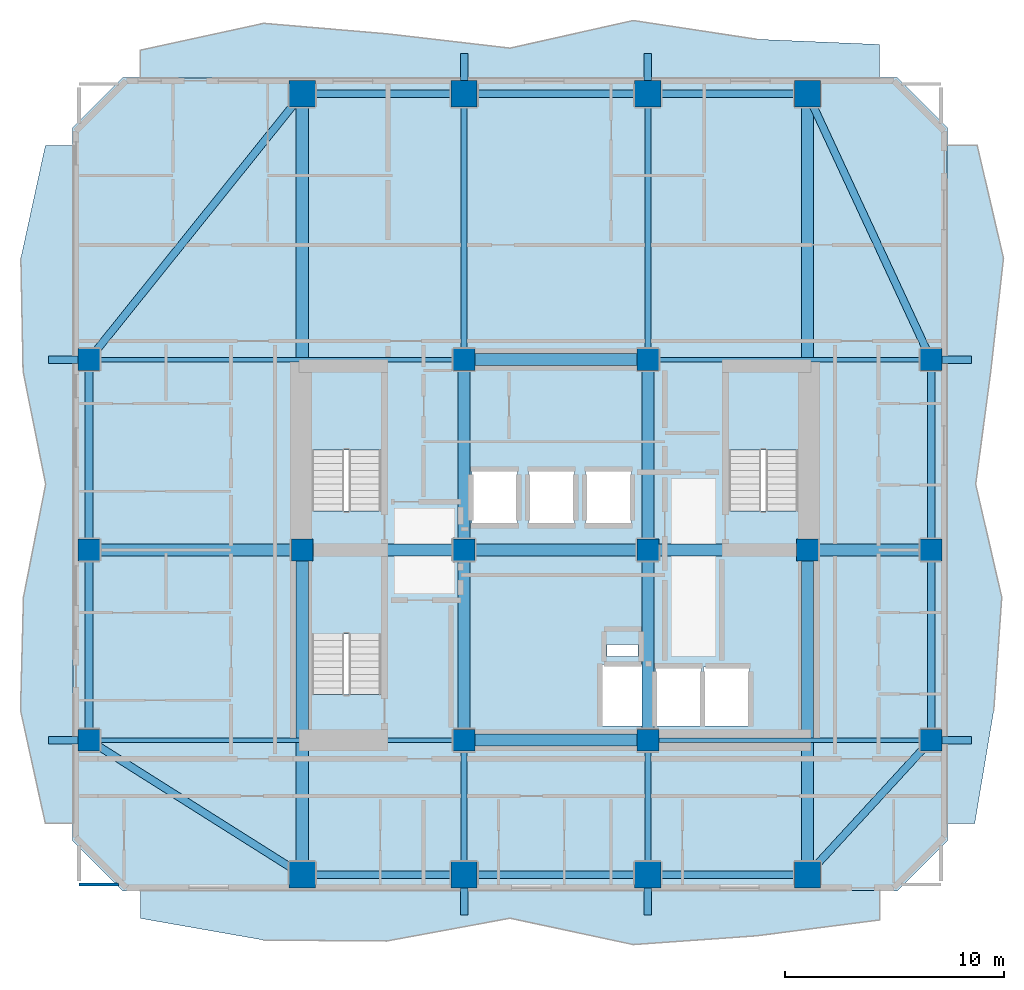
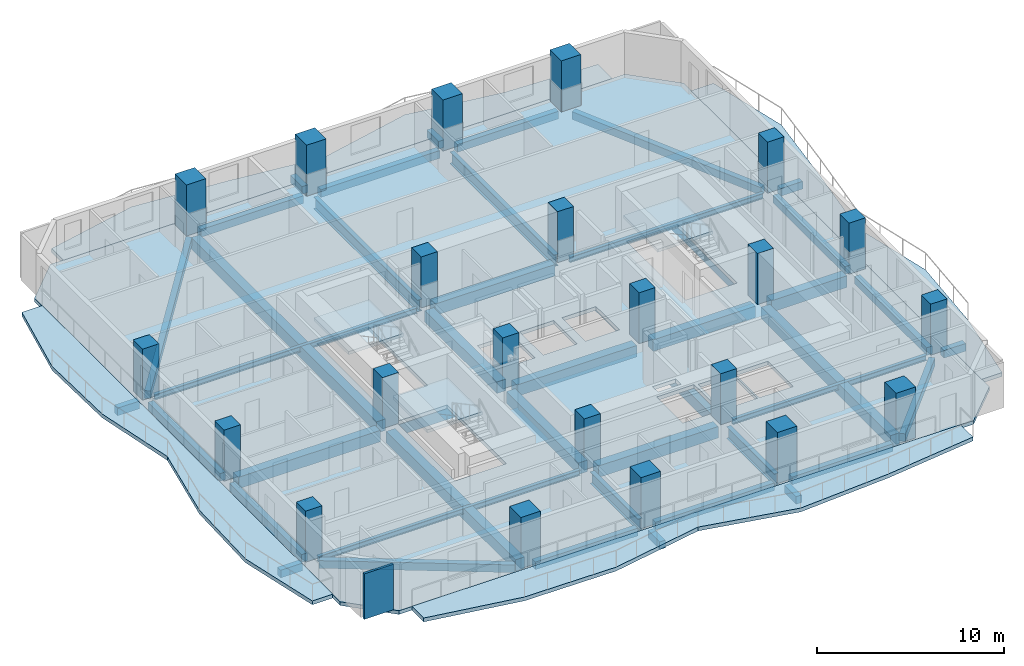
# One storey, part 1 of 11: 45 beams, 22 columns, 8 slabs, 1 wall, 3 elements without a shape of their own.
"""IFC4 building model written with IfcOpenShell, lengths in metres."""

from ifc_helpers import new_model, si_unit, direction, frame, frame_2d, origin, origin_2d, place, context, subcontext, project, spatial, polyline, rectangle, i_section, outline, extrude, material, layer, layer_set, material_profile, profile_set, type_object, element, aggregate, save


model = new_model("IFC4")

# Units and contexts
model_context = context("Model", 3, precision=1e-05, world=origin(), true_north=direction((0.0, 1.0)))
body_context = subcontext(model_context, "Body", "Model", "MODEL_VIEW")
ifc_project = project(units=[si_unit("LENGTHUNIT", "METRE"), si_unit("AREAUNIT", "SQUARE_METRE"), si_unit("VOLUMEUNIT", "CUBIC_METRE"), si_unit("PLANEANGLEUNIT", "RADIAN"), si_unit("MASSUNIT", "GRAM", prefix="KILO")], contexts=[model_context])

# Site, building, storey
site_placement = place(None, origin())
site = spatial("IfcSite", under=ifc_project, at=site_placement, CompositionType="ELEMENT")
building_placement = place(site_placement, origin())
building = spatial("IfcBuilding", under=site, at=building_placement, Name="Solanera Arch Residences", CompositionType="ELEMENT")
storey_placement = place(building_placement, frame((0.0, 0.0, 169.159912109375)))
storey = spatial("IfcBuildingStorey", under=building, at=storey_placement, Name="L49", CompositionType="ELEMENT", Elevation=169.159912109375)

# Columns
ifc_material_1 = material(Name="Concrete C55/67 (f'c = 60 MPa)", Category="concrete")
ifc_material_profile_1 = material_profile(ifc_material_1, rectangle(XDim=1.0, YDim=1.0, at=origin_2d()))
ifc_profile_set_1 = profile_set([ifc_material_profile_1], Name="Concrete C55/67 (f'c = 60 MPa)")
column_type_1 = type_object("IfcColumnType", Name="Structural Column RC-COL-1000X1000", PredefinedType="COLUMN", material=ifc_profile_set_1)
for number, where, z_axis, x_axis, name in (
    (1, (20.800048828125, 22.0, 0.0), (0.0, 0.0, 1.0), (1.0, 0.0, 0.0), "COL-L49-CB-SW"),
    (2, (29.199951171875, 22.0, 0.0), (0.0, 0.0, 1.0), (1.0, 0.0, 0.0), "COL-L49-CB-SE"),
    (3, (20.800048828125, 39.39990234375, 0.0), (0.0, 0.0, 1.0), (1.0, 0.0, 0.0), "COL-L49-CB-NW"),
    (4, (29.199951171875, 39.39990234375, 0.0), (0.0, 0.0, 1.0), (1.0, 0.0, 0.0), "COL-L49-CB-NE"),
    (5, (13.39990234375, 30.699951171875, 0.0), (0.0, 0.0, 1.0), (1.0, 0.0, 0.0), "COL-L49-CB-WW"),
    (6, (36.5, 30.699951171875, 0.0), (0.0, 0.0, 1.0), (1.0, 0.0, 0.0), "COL-L49-CB-EE"),
    (7, (20.800048828125, 30.699951171875, 0.0), (0.0, 0.0, 1.0), (1.0, 0.0, 0.0), "COL-L49-CORE-W"),
    (8, (29.199951171875, 30.699951171875, 0.0), (0.0, 0.0, 1.0), (1.0, 0.0, 0.0), "COL-L49-CORE-E"),
    (9, (3.64990234375, 22.0, 0.0), (0.0, 0.0, 1.0), (1.0, 0.0, 0.0), "COL-L49-TWR-09"),
    (10, (42.14990234375, 22.0, 0.0), (0.0, 0.0, 1.0), (1.0, 0.0, 0.0), "COL-L49-TWR-10"),
    (11, (3.64990234375, 30.699951171875, 0.0), (0.0, 0.0, 1.0), (1.0, 0.0, 0.0), "COL-L49-TWR-11"),
    (12, (42.14990234375, 30.699951171875, 0.0), (0.0, 0.0, 1.0), (1.0, 0.0, 0.0), "COL-L49-TWR-12"),
    (13, (3.64990234375, 39.39990234375, 0.0), (0.0, 0.0, 1.0), (1.0, 0.0, 0.0), "COL-L49-TWR-13"),
    (14, (42.14990234375, 39.39990234375, 0.0), (0.0, 0.0, 1.0), (1.0, 0.0, 0.0), "COL-L49-TWR-14"),
):
    element("IfcColumn", number, at=place(storey_placement, frame(where, z_axis=z_axis, x_axis=x_axis)), inside=storey, type_object=column_type_1, Name=name, PredefinedType="COLUMN", context=body_context, shape_type="SweptSolid", body=[
        extrude(rectangle(XDim=1.0, YDim=1.0, at=origin_2d()), origin(), (0.0, 0.0, 1.0), 3.320068359375),
    ])
ifc_material_2 = material(Name="Concrete C55/67 (f'c = 60 MPa)", Category="concrete")
ifc_material_profile_2 = material_profile(ifc_material_2, rectangle(XDim=1.199951171875, YDim=1.199951171875, at=origin_2d()))
ifc_profile_set_2 = profile_set([ifc_material_profile_2], Name="Concrete C55/67 (f'c = 60 MPa)")
column_type_2 = type_object("IfcColumnType", Name="Structural Column RC-COL-1200X1200", PredefinedType="COLUMN", material=ifc_profile_set_2)
for number, where, z_axis, x_axis, name in (
    (15, (13.39990234375, 15.85009765625, 0.0), (0.0, 0.0, 1.0), (1.0, 0.0, 0.0), "COL-L49-TWR-01"),
    (16, (13.39990234375, 51.550048828125, 0.0), (0.0, 0.0, 1.0), (1.0, 0.0, 0.0), "COL-L49-TWR-02"),
    (17, (20.800048828125, 15.85009765625, 0.0), (0.0, 0.0, 1.0), (1.0, 0.0, 0.0), "COL-L49-TWR-03"),
    (18, (20.800048828125, 51.550048828125, 0.0), (0.0, 0.0, 1.0), (1.0, 0.0, 0.0), "COL-L49-TWR-04"),
    (19, (29.199951171875, 15.85009765625, 0.0), (0.0, 0.0, 1.0), (1.0, 0.0, 0.0), "COL-L49-TWR-05"),
    (20, (29.199951171875, 51.550048828125, 0.0), (0.0, 0.0, 1.0), (1.0, 0.0, 0.0), "COL-L49-TWR-06"),
    (21, (36.5, 15.85009765625, 0.0), (0.0, 0.0, 1.0), (1.0, 0.0, 0.0), "COL-L49-TWR-07"),
    (22, (36.5, 51.550048828125, 0.0), (0.0, 0.0, 1.0), (1.0, 0.0, 0.0), "COL-L49-TWR-08"),
):
    element("IfcColumn", number, at=place(storey_placement, frame(where, z_axis=z_axis, x_axis=x_axis)), inside=storey, type_object=column_type_2, Name=name, PredefinedType="COLUMN", context=body_context, shape_type="SweptSolid", body=[
        extrude(rectangle(XDim=1.199951171875, YDim=1.199951171875, at=origin_2d()), origin(), (0.0, 0.0, 1.0), 3.320068359375),
    ])

# Beams
ifc_material_3 = material(Name="Concrete C40/50 (f'c = 45 MPa)", Category="concrete")
ifc_material_profile_3 = material_profile(ifc_material_3, rectangle(XDim=0.35009765625, YDim=0.5, at=origin_2d()))
ifc_profile_set_3 = profile_set([ifc_material_profile_3], Name="Concrete C40/50 (f'c = 45 MPa)")
beam_type_1 = type_object("IfcBeamType", Name="BM-BALC-RIB", PredefinedType="BEAM", material=ifc_profile_set_3)
for number, where, z_axis, x_axis, name in (
    (23, (20.800048828125, 14.0, -0.5), (0.0, 1.0, 0.0), (-1.0, 0.0, 0.0), "BM-L49-BRIB-S1"),
    (24, (29.199951171875, 14.0, -0.5), (0.0, 1.0, 0.0), (-1.0, 0.0, 0.0), "BM-L49-BRIB-S2"),
    (25, (20.800048828125, 52.14990234375, -0.5), (0.0, 1.0, 0.0), (-1.0, 0.0, 0.0), "BM-L49-BRIB-N1"),
    (26, (29.199951171875, 52.14990234375, -0.5), (0.0, 1.0, 0.0), (-1.0, 0.0, 0.0), "BM-L49-BRIB-N2"),
):
    element("IfcBeam", number, at=place(storey_placement, frame(where, z_axis=z_axis, x_axis=x_axis)), inside=storey, type_object=beam_type_1, Name=name, PredefinedType="BEAM", context=body_context, shape_type="SweptSolid", body=[
        extrude(rectangle(XDim=0.35009765625, YDim=0.5, at=origin_2d()), origin(), (0.0, 0.0, 1.0), 1.25),
    ])
for number, where, z_axis, x_axis, name in (
    (27, (42.64990234375, 22.0, -0.5), (1.0, 0.0, 0.0), (0.0, 1.0, 0.0), "BM-L49-BRIB-E1"),
    (28, (42.64990234375, 39.39990234375, -0.5), (1.0, 0.0, 0.0), (0.0, 1.0, 0.0), "BM-L49-BRIB-E2"),
):
    element("IfcBeam", number, at=place(storey_placement, frame(where, z_axis=z_axis, x_axis=x_axis)), inside=storey, type_object=beam_type_1, Name=name, PredefinedType="BEAM", context=body_context, shape_type="SweptSolid", body=[
        extrude(rectangle(XDim=0.35009765625, YDim=0.5, at=origin_2d()), origin(), (0.0, 0.0, 1.0), 1.35009765625),
    ])
for number, where, z_axis, x_axis, name in (
    (29, (1.800048828125, 22.0, -0.5), (1.0, 0.0, 0.0), (0.0, 1.0, 0.0), "BM-L49-BRIB-W1"),
    (30, (1.800048828125, 39.39990234375, -0.5), (1.0, 0.0, 0.0), (0.0, 1.0, 0.0), "BM-L49-BRIB-W2"),
):
    element("IfcBeam", number, at=place(storey_placement, frame(where, z_axis=z_axis, x_axis=x_axis)), inside=storey, type_object=beam_type_1, Name=name, PredefinedType="BEAM", context=body_context, shape_type="SweptSolid", body=[
        extrude(rectangle(XDim=0.35009765625, YDim=0.5, at=origin_2d()), origin(), (0.0, 0.0, 1.0), 1.349853515625),
    ])
ifc_material_4 = material(Name="Concrete C40/50 (f'c = 45 MPa)", Category="concrete")
ifc_material_profile_4 = material_profile(ifc_material_4, rectangle(XDim=0.550048828125, YDim=0.75, at=origin_2d()))
ifc_profile_set_4 = profile_set([ifc_material_profile_4], Name="Concrete C40/50 (f'c = 45 MPa)")
beam_type_2 = type_object("IfcBeamType", Name="Primary Beam RC-BM-550X750", PredefinedType="BEAM", material=ifc_profile_set_4)
beam_1_placement = place(storey_placement, frame((20.800048828125, 22.50390625, -0.614990234375), z_axis=(0.0, 1.0, 0.0), x_axis=(-1.0, 0.0, 0.0)))
element("IfcBeam", 31, at=beam_1_placement, inside=storey, type_object=beam_type_2, Name="BM-L49-CC-S-208", PredefinedType="BEAM", context=body_context, shape_type="SweptSolid", body=[
    extrude(rectangle(XDim=0.550048828125, YDim=0.75, at=origin_2d()), origin(), (0.0, 0.0, 1.0), 7.692138671875),
])
beam_2_placement = place(storey_placement, frame((20.800048828125, 31.2041015625, -0.614990234375), z_axis=(0.0, 1.0, 0.0), x_axis=(-1.0, 0.0, 0.0)))
element("IfcBeam", 32, at=beam_2_placement, inside=storey, type_object=beam_type_2, Name="BM-L49-CC-N-208", PredefinedType="BEAM", context=body_context, shape_type="SweptSolid", body=[
    extrude(rectangle(XDim=0.550048828125, YDim=0.75, at=origin_2d()), origin(), (0.0, 0.0, 1.0), 7.69189453125),
])
beam_3_placement = place(storey_placement, frame((29.199951171875, 22.50390625, -0.614990234375), z_axis=(0.0, 1.0, 0.0), x_axis=(-1.0, 0.0, 0.0)))
element("IfcBeam", 33, at=beam_3_placement, inside=storey, type_object=beam_type_2, Name="BM-L49-CC-S-292", PredefinedType="BEAM", context=body_context, shape_type="SweptSolid", body=[
    extrude(rectangle(XDim=0.550048828125, YDim=0.75, at=origin_2d()), origin(), (0.0, 0.0, 1.0), 7.692138671875),
])
beam_4_placement = place(storey_placement, frame((29.199951171875, 31.2041015625, -0.614990234375), z_axis=(0.0, 1.0, 0.0), x_axis=(-1.0, 0.0, 0.0)))
element("IfcBeam", 34, at=beam_4_placement, inside=storey, type_object=beam_type_2, Name="BM-L49-CC-N-292", PredefinedType="BEAM", context=body_context, shape_type="SweptSolid", body=[
    extrude(rectangle(XDim=0.550048828125, YDim=0.75, at=origin_2d()), origin(), (0.0, 0.0, 1.0), 7.69189453125),
])
for number, where, z_axis, x_axis, name in (
    (35, (21.303955078125, 22.0, -0.614990234375), (1.0, 0.0, 0.0), (0.0, 1.0, 0.0), "BM-L49-CC-M-220"),
    (36, (21.303955078125, 30.699951171875, -0.614990234375), (1.0, 0.0, 0.0), (0.0, 1.0, 0.0), "BM-L49-CC-M-307"),
    (37, (21.303955078125, 39.39990234375, -0.614990234375), (1.0, 0.0, 0.0), (0.0, 1.0, 0.0), "BM-L49-CC-M-394"),
):
    element("IfcBeam", number, at=place(storey_placement, frame(where, z_axis=z_axis, x_axis=x_axis)), inside=storey, type_object=beam_type_2, Name=name, PredefinedType="BEAM", context=body_context, shape_type="SweptSolid", body=[
        extrude(rectangle(XDim=0.550048828125, YDim=0.75, at=origin_2d()), origin(), (0.0, 0.0, 1.0), 7.39208984375),
    ])
beam_5_placement = place(storey_placement, frame((13.904052734375, 30.699951171875, -0.614990234375), z_axis=(1.0, 0.0, 0.0), x_axis=(0.0, 1.0, 0.0)))
element("IfcBeam", 38, at=beam_5_placement, inside=storey, type_object=beam_type_2, Name="BM-L49-CC-W", PredefinedType="BEAM", context=body_context, shape_type="SweptSolid", body=[
    extrude(rectangle(XDim=0.550048828125, YDim=0.75, at=origin_2d()), origin(), (0.0, 0.0, 1.0), 6.391845703125),
])
beam_6_placement = place(storey_placement, frame((29.7041015625, 30.699951171875, -0.614990234375), z_axis=(1.0, 0.0, 0.0), x_axis=(0.0, 1.0, 0.0)))
element("IfcBeam", 39, at=beam_6_placement, inside=storey, type_object=beam_type_2, Name="BM-L49-CC-E", PredefinedType="BEAM", context=body_context, shape_type="SweptSolid", body=[
    extrude(rectangle(XDim=0.550048828125, YDim=0.75, at=origin_2d()), origin(), (0.0, 0.0, 1.0), 6.2919921875),
])
beam_7_placement = place(storey_placement, frame((13.39990234375, 16.389892578125, -0.614990234375), z_axis=(0.0, 1.0, 0.0), x_axis=(-1.0, 0.0, 0.0)))
element("IfcBeam", 40, at=beam_7_placement, inside=storey, type_object=beam_type_2, Name="BM-L49-RAD-OS-134", PredefinedType="BEAM", context=body_context, shape_type="SweptSolid", body=[
    extrude(rectangle(XDim=0.550048828125, YDim=0.75, at=origin_2d()), origin(), (0.0, 0.0, 1.0), 13.80615234375),
])
beam_8_placement = place(storey_placement, frame((13.39990234375, 31.2041015625, -0.614990234375), z_axis=(0.0, 1.0, 0.0), x_axis=(-1.0, 0.0, 0.0)))
element("IfcBeam", 41, at=beam_8_placement, inside=storey, type_object=beam_type_2, Name="BM-L49-RAD-ON-134", PredefinedType="BEAM", context=body_context, shape_type="SweptSolid", body=[
    extrude(rectangle(XDim=0.550048828125, YDim=0.75, at=origin_2d()), origin(), (0.0, 0.0, 1.0), 19.805908203125),
])
beam_9_placement = place(storey_placement, frame((36.5, 16.389892578125, -0.614990234375), z_axis=(0.0, 1.0, 0.0), x_axis=(-1.0, 0.0, 0.0)))
element("IfcBeam", 42, at=beam_9_placement, inside=storey, type_object=beam_type_2, Name="BM-L49-RAD-OS-365", PredefinedType="BEAM", context=body_context, shape_type="SweptSolid", body=[
    extrude(rectangle(XDim=0.550048828125, YDim=0.75, at=origin_2d()), origin(), (0.0, 0.0, 1.0), 13.80615234375),
])
beam_10_placement = place(storey_placement, frame((36.5, 31.2041015625, -0.614990234375), z_axis=(0.0, 1.0, 0.0), x_axis=(-1.0, 0.0, 0.0)))
element("IfcBeam", 43, at=beam_10_placement, inside=storey, type_object=beam_type_2, Name="BM-L49-RAD-ON-365", PredefinedType="BEAM", context=body_context, shape_type="SweptSolid", body=[
    extrude(rectangle(XDim=0.550048828125, YDim=0.75, at=origin_2d()), origin(), (0.0, 0.0, 1.0), 19.805908203125),
])
beam_11_placement = place(storey_placement, frame((4.154052734375, 30.699951171875, -0.614990234375), z_axis=(1.0, 0.0, 0.0), x_axis=(0.0, 1.0, 0.0)))
element("IfcBeam", 44, at=beam_11_placement, inside=storey, type_object=beam_type_2, Name="BM-L49-RAD-MW", PredefinedType="BEAM", context=body_context, shape_type="SweptSolid", body=[
    extrude(rectangle(XDim=0.550048828125, YDim=0.75, at=origin_2d()), origin(), (0.0, 0.0, 1.0), 8.741943359375),
])
beam_12_placement = place(storey_placement, frame((37.00390625, 30.699951171875, -0.614990234375), z_axis=(1.0, 0.0, 0.0), x_axis=(0.0, 1.0, 0.0)))
element("IfcBeam", 45, at=beam_12_placement, inside=storey, type_object=beam_type_2, Name="BM-L49-RAD-ME", PredefinedType="BEAM", context=body_context, shape_type="SweptSolid", body=[
    extrude(rectangle(XDim=0.550048828125, YDim=0.75, at=origin_2d()), origin(), (0.0, 0.0, 1.0), 4.64208984375),
])
ifc_material_5 = material(Name="Steel S355 (ASTM A992 / A572 Grade 50)", Category="steel")
ifc_material_profile_5 = material_profile(ifc_material_5, i_section(OverallWidth=0.26806640625, OverallDepth=0.77001953125, WebThickness=0.015625, FlangeThickness=0.025390625, at=origin_2d()))
ifc_profile_set_5 = profile_set([ifc_material_profile_5], Name="Steel S355 (ASTM A992 / A572 Grade 50)")
beam_type_3 = type_object("IfcBeamType", Name="Primary Beam W760X196", PredefinedType="BEAM", material=ifc_profile_set_5)
beam_13_placement = place(storey_placement, frame((20.800048828125, 16.389892578125, -0.625), z_axis=(0.0, 1.0, 0.0), x_axis=(-1.0, 0.0, 0.0)))
element("IfcBeam", 46, at=beam_13_placement, inside=storey, type_object=beam_type_3, Name="BM-L49-RAD-S-208", PredefinedType="BEAM", context=body_context, shape_type="SweptSolid", body=[
    extrude(i_section(OverallWidth=0.26806640625, OverallDepth=0.77001953125, WebThickness=0.015625, FlangeThickness=0.025390625, at=origin_2d()), origin(), (0.0, 0.0, 1.0), 5.106201171875),
])
beam_14_placement = place(storey_placement, frame((20.800048828125, 39.904052734375, -0.625), z_axis=(0.0, 1.0, 0.0), x_axis=(-1.0, 0.0, 0.0)))
element("IfcBeam", 47, at=beam_14_placement, inside=storey, type_object=beam_type_3, Name="BM-L49-RAD-N-208", PredefinedType="BEAM", context=body_context, shape_type="SweptSolid", body=[
    extrude(i_section(OverallWidth=0.26806640625, OverallDepth=0.77001953125, WebThickness=0.015625, FlangeThickness=0.025390625, at=origin_2d()), origin(), (0.0, 0.0, 1.0), 11.10595703125),
])
beam_15_placement = place(storey_placement, frame((29.199951171875, 16.389892578125, -0.625), z_axis=(0.0, 1.0, 0.0), x_axis=(-1.0, 0.0, 0.0)))
element("IfcBeam", 48, at=beam_15_placement, inside=storey, type_object=beam_type_3, Name="BM-L49-RAD-S-292", PredefinedType="BEAM", context=body_context, shape_type="SweptSolid", body=[
    extrude(i_section(OverallWidth=0.26806640625, OverallDepth=0.77001953125, WebThickness=0.015625, FlangeThickness=0.025390625, at=origin_2d()), origin(), (0.0, 0.0, 1.0), 5.106201171875),
])
beam_16_placement = place(storey_placement, frame((29.199951171875, 39.904052734375, -0.625), z_axis=(0.0, 1.0, 0.0), x_axis=(-1.0, 0.0, 0.0)))
element("IfcBeam", 49, at=beam_16_placement, inside=storey, type_object=beam_type_3, Name="BM-L49-RAD-N-292", PredefinedType="BEAM", context=body_context, shape_type="SweptSolid", body=[
    extrude(i_section(OverallWidth=0.26806640625, OverallDepth=0.77001953125, WebThickness=0.015625, FlangeThickness=0.025390625, at=origin_2d()), origin(), (0.0, 0.0, 1.0), 11.10595703125),
])
ifc_material_6 = material(Name="Steel S355 (ASTM A992 / A572 Grade 50)", Category="steel")
ifc_material_profile_6 = material_profile(ifc_material_6, i_section(OverallWidth=0.205078125, OverallDepth=0.35400390625, WebThickness=0.009521484375, FlangeThickness=0.016845703125, at=origin_2d()))
ifc_profile_set_6 = profile_set([ifc_material_profile_6], Name="Steel S355 (ASTM A992 / A572 Grade 50)")
beam_type_4 = type_object("IfcBeamType", Name="Secondary Joist W360X79", PredefinedType="JOIST", material=ifc_profile_set_6)
beam_17_placement = place(storey_placement, frame((4.154052734375, 22.0, -0.4169921875), z_axis=(1.0, 0.0, 0.0), x_axis=(0.0, 1.0, 0.0)))
element("IfcBeam", 50, at=beam_17_placement, inside=storey, type_object=beam_type_4, Name="BM-L49-RAD-W-220", PredefinedType="JOIST", context=body_context, shape_type="SweptSolid", body=[
    extrude(i_section(OverallWidth=0.205078125, OverallDepth=0.35400390625, WebThickness=0.009521484375, FlangeThickness=0.016845703125, at=origin_2d()), origin(), (0.0, 0.0, 1.0), 16.141845703125),
])
beam_18_placement = place(storey_placement, frame((29.7041015625, 22.0, -0.4169921875), z_axis=(1.0, 0.0, 0.0), x_axis=(0.0, 1.0, 0.0)))
element("IfcBeam", 51, at=beam_18_placement, inside=storey, type_object=beam_type_4, Name="BM-L49-RAD-E-220", PredefinedType="JOIST", context=body_context, shape_type="SweptSolid", body=[
    extrude(i_section(OverallWidth=0.205078125, OverallDepth=0.35400390625, WebThickness=0.009521484375, FlangeThickness=0.016845703125, at=origin_2d()), origin(), (0.0, 0.0, 1.0), 11.94189453125),
])
beam_19_placement = place(storey_placement, frame((4.154052734375, 39.39990234375, -0.4169921875), z_axis=(1.0, 0.0, 0.0), x_axis=(0.0, 1.0, 0.0)))
element("IfcBeam", 52, at=beam_19_placement, inside=storey, type_object=beam_type_4, Name="BM-L49-RAD-W-394", PredefinedType="JOIST", context=body_context, shape_type="SweptSolid", body=[
    extrude(i_section(OverallWidth=0.205078125, OverallDepth=0.35400390625, WebThickness=0.009521484375, FlangeThickness=0.016845703125, at=origin_2d()), origin(), (0.0, 0.0, 1.0), 16.141845703125),
])
beam_20_placement = place(storey_placement, frame((29.7041015625, 39.39990234375, -0.4169921875), z_axis=(1.0, 0.0, 0.0), x_axis=(0.0, 1.0, 0.0)))
element("IfcBeam", 53, at=beam_20_placement, inside=storey, type_object=beam_type_4, Name="BM-L49-RAD-E-394", PredefinedType="JOIST", context=body_context, shape_type="SweptSolid", body=[
    extrude(i_section(OverallWidth=0.205078125, OverallDepth=0.35400390625, WebThickness=0.009521484375, FlangeThickness=0.016845703125, at=origin_2d()), origin(), (0.0, 0.0, 1.0), 11.94189453125),
])
ifc_material_7 = material(Name="Concrete C40/50 (f'c = 45 MPa)", Category="concrete")
ifc_material_profile_7 = material_profile(ifc_material_7, rectangle(XDim=0.35009765625, YDim=0.5, at=origin_2d()))
ifc_profile_set_7 = profile_set([ifc_material_profile_7], Name="Concrete C40/50 (f'c = 45 MPa)")
beam_type_5 = type_object("IfcBeamType", Name="Spandrel Beam RC-BM-350X500", PredefinedType="SPANDREL", material=ifc_profile_set_7)
for number, where, z_axis, x_axis, name in (
    (54, (13.93994140625, 15.85009765625, -0.489990234375), (1.0, 0.0, 0.0), (0.0, 1.0, 0.0), "BM-L49-SPN-S-1"),
    (55, (13.93994140625, 51.550048828125, -0.489990234375), (1.0, 0.0, 0.0), (0.0, 1.0, 0.0), "BM-L49-SPN-N-1"),
):
    element("IfcBeam", number, at=place(storey_placement, frame(where, z_axis=z_axis, x_axis=x_axis)), inside=storey, type_object=beam_type_5, Name=name, PredefinedType="SPANDREL", context=body_context, shape_type="SweptSolid", body=[
        extrude(rectangle(XDim=0.35009765625, YDim=0.5, at=origin_2d()), origin(), (0.0, 0.0, 1.0), 6.320068359375),
    ])
for number, where, z_axis, x_axis, name in (
    (56, (21.340087890625, 15.85009765625, -0.489990234375), (1.0, 0.0, 0.0), (0.0, 1.0, 0.0), "BM-L49-SPN-S-2"),
    (57, (21.340087890625, 51.550048828125, -0.489990234375), (1.0, 0.0, 0.0), (0.0, 1.0, 0.0), "BM-L49-SPN-N-2"),
):
    element("IfcBeam", number, at=place(storey_placement, frame(where, z_axis=z_axis, x_axis=x_axis)), inside=storey, type_object=beam_type_5, Name=name, PredefinedType="SPANDREL", context=body_context, shape_type="SweptSolid", body=[
        extrude(rectangle(XDim=0.35009765625, YDim=0.5, at=origin_2d()), origin(), (0.0, 0.0, 1.0), 7.31982421875),
    ])
for number, where, z_axis, x_axis, name in (
    (58, (29.739990234375, 15.85009765625, -0.489990234375), (1.0, 0.0, 0.0), (0.0, 1.0, 0.0), "BM-L49-SPN-S-3"),
    (59, (29.739990234375, 51.550048828125, -0.489990234375), (1.0, 0.0, 0.0), (0.0, 1.0, 0.0), "BM-L49-SPN-N-3"),
):
    element("IfcBeam", number, at=place(storey_placement, frame(where, z_axis=z_axis, x_axis=x_axis)), inside=storey, type_object=beam_type_5, Name=name, PredefinedType="SPANDREL", context=body_context, shape_type="SweptSolid", body=[
        extrude(rectangle(XDim=0.35009765625, YDim=0.5, at=origin_2d()), origin(), (0.0, 0.0, 1.0), 6.219970703125),
    ])
for number, where, z_axis, x_axis, name in (
    (60, (3.64990234375, 22.50390625, -0.489990234375), (0.0, 1.0, 0.0), (-1.0, 0.0, 0.0), "BM-L49-SPN-W-1"),
    (61, (42.14990234375, 22.50390625, -0.489990234375), (0.0, 1.0, 0.0), (-1.0, 0.0, 0.0), "BM-L49-SPN-E-1"),
):
    element("IfcBeam", number, at=place(storey_placement, frame(where, z_axis=z_axis, x_axis=x_axis)), inside=storey, type_object=beam_type_5, Name=name, PredefinedType="SPANDREL", context=body_context, shape_type="SweptSolid", body=[
        extrude(rectangle(XDim=0.35009765625, YDim=0.5, at=origin_2d()), origin(), (0.0, 0.0, 1.0), 7.692138671875),
    ])
for number, where, z_axis, x_axis, name in (
    (62, (3.64990234375, 31.2041015625, -0.489990234375), (0.0, 1.0, 0.0), (-1.0, 0.0, 0.0), "BM-L49-SPN-W-2"),
    (63, (42.14990234375, 31.2041015625, -0.489990234375), (0.0, 1.0, 0.0), (-1.0, 0.0, 0.0), "BM-L49-SPN-E-2"),
):
    element("IfcBeam", number, at=place(storey_placement, frame(where, z_axis=z_axis, x_axis=x_axis)), inside=storey, type_object=beam_type_5, Name=name, PredefinedType="SPANDREL", context=body_context, shape_type="SweptSolid", body=[
        extrude(rectangle(XDim=0.35009765625, YDim=0.5, at=origin_2d()), origin(), (0.0, 0.0, 1.0), 7.69189453125),
    ])
beam_21_placement = place(storey_placement, frame((12.943115234375, 16.137939453125, -0.489990234375), z_axis=(-0.845781416305, 0.53352956416, 0.0), x_axis=(-0.53352956416, -0.845781416305, 0.0)))
element("IfcBeam", 64, at=beam_21_placement, inside=storey, type_object=beam_type_5, Name="BM-L49-SPN-SW", PredefinedType="SPANDREL", context=body_context, shape_type="SweptSolid", body=[
    extrude(rectangle(XDim=0.35009765625, YDim=0.5, at=origin_2d()), origin(), (0.0, 0.0, 1.0), 10.447265625),
])
beam_22_placement = place(storey_placement, frame((13.06201171875, 51.12890625, -0.489990234375), z_axis=(-0.625858715022, -0.77993645179, 0.0), x_axis=(0.77993645179, -0.625858715022, 0.0)))
element("IfcBeam", 65, at=beam_22_placement, inside=storey, type_object=beam_type_5, Name="BM-L49-SPN-NW", PredefinedType="SPANDREL", context=body_context, shape_type="SweptSolid", body=[
    extrude(rectangle(XDim=0.35009765625, YDim=0.5, at=origin_2d()), origin(), (0.0, 0.0, 1.0), 14.49853515625),
])
beam_23_placement = place(storey_placement, frame((36.864990234375, 16.248046875, -0.489990234375), z_axis=(0.67662725737, 0.736325712293, 0.0), x_axis=(-0.736325712293, 0.67662725737, 0.0)))
element("IfcBeam", 66, at=beam_23_placement, inside=storey, type_object=beam_type_5, Name="BM-L49-SPN-SE", PredefinedType="SPANDREL", context=body_context, shape_type="SweptSolid", body=[
    extrude(rectangle(XDim=0.35009765625, YDim=0.5, at=origin_2d()), origin(), (0.0, 0.0, 1.0), 7.271240234375),
])
beam_24_placement = place(storey_placement, frame((36.72802734375, 51.06005859375, -0.489990234375), z_axis=(0.421641700363, -0.906762524874, 0.0), x_axis=(0.906762524874, 0.421641700363, 0.0)))
element("IfcBeam", 67, at=beam_24_placement, inside=storey, type_object=beam_type_5, Name="BM-L49-SPN-NE", PredefinedType="SPANDREL", context=body_context, shape_type="SweptSolid", body=[
    extrude(rectangle(XDim=0.35009765625, YDim=0.5, at=origin_2d()), origin(), (0.0, 0.0, 1.0), 12.31884765625),
])

# Slabs
ifc_material_8 = material(Name="Concrete C40/50 (f'c = 45 MPa)", Category="concrete")
ifc_layer_1 = layer(ifc_material_8, 0.25)
ifc_layer_set_1 = layer_set([ifc_layer_1], Name="Concrete C40/50 (f'c = 45 MPa)")
slab_type_1 = type_object("IfcSlabType", Name="Balcony Slab 250", PredefinedType="FLOOR", material=ifc_layer_set_1)
slab_1_placement = place(storey_placement, frame((0.0, 0.0, -0.25)))
element("IfcSlab", 68, at=slab_1_placement, inside=storey, type_object=slab_type_1, Name="L49 S Rippling Brise-Soleil Balcony Slab", PredefinedType="FLOOR", context=body_context, shape_type="SweptSolid", body=[
    extrude(outline(polyline([(6.0, 13.85400390625), (11.633056640625, 12.863037109375), (17.26708984375, 12.821044921875), (22.89990234375, 13.863037109375), (28.532958984375, 12.657958984375), (34.1669921875, 13.05810546875), (39.800048828125, 13.783935546875), (39.800048828125, 15.1201171875), (6.0, 15.1201171875), (6.0, 13.85400390625)])), origin(), (0.0, 0.0, 1.0), 0.25),
])
slab_2_placement = place(storey_placement, frame((0.0, 0.0, -0.25)))
element("IfcSlab", 69, at=slab_2_placement, inside=storey, type_object=slab_type_1, Name="L49 N Rippling Brise-Soleil Balcony Slab", PredefinedType="FLOOR", context=body_context, shape_type="SweptSolid", body=[
    extrude(outline(polyline([(39.800048828125, 53.80810546875), (34.1669921875, 54.047119140625), (28.532958984375, 54.903076171875), (22.89990234375, 53.639892578125), (17.26708984375, 54.2958984375), (11.633056640625, 54.77392578125), (6.0, 53.5458984375), (6.0, 52.280029296875), (39.800048828125, 52.280029296875), (39.800048828125, 53.80810546875)])), origin(), (0.0, 0.0, 1.0), 0.25),
])
slab_3_placement = place(storey_placement, frame((0.0, 0.0, -0.25)))
element("IfcSlab", 70, at=slab_3_placement, inside=storey, type_object=slab_type_1, Name="L49 E Rippling Brise-Soleil Balcony Slab", PredefinedType="FLOOR", context=body_context, shape_type="SweptSolid", body=[
    extrude(outline(polyline([(44.14599609375, 18.199951171875), (45.014892578125, 23.366943359375), (45.3798828125, 28.532958984375), (44.18798828125, 33.699951171875), (44.876953125, 38.866943359375), (45.458984375, 44.032958984375), (44.2548828125, 49.199951171875), (42.8798828125, 49.199951171875), (42.8798828125, 18.199951171875), (44.14599609375, 18.199951171875)])), origin(), (0.0, 0.0, 1.0), 0.25),
])
slab_4_placement = place(storey_placement, frame((0.0, 0.0, -0.25)))
element("IfcSlab", 71, at=slab_4_placement, inside=storey, type_object=slab_type_1, Name="L49 W Rippling Brise-Soleil Balcony Slab", PredefinedType="FLOOR", context=body_context, shape_type="SweptSolid", body=[
    extrude(outline(polyline([(1.657958984375, 49.199951171875), (0.534912109375, 44.032958984375), (0.637939453125, 38.866943359375), (1.669921875, 33.699951171875), (0.654052734375, 28.532958984375), (0.52001953125, 23.366943359375), (1.654052734375, 18.199951171875), (2.919921875, 18.199951171875), (2.919921875, 49.199951171875), (1.657958984375, 49.199951171875)])), origin(), (0.0, 0.0, 1.0), 0.25),
])

# Stair, slab
ifc_material_9 = material(Name="Concrete C40/50 (f'c = 45 MPa)", Category="concrete")
stair_type = type_object("IfcStairType", Name="Tower Dogleg Exit Stair 1480", PredefinedType="HALF_TURN_STAIR", material=ifc_material_9)
stair_1_placement = place(storey_placement, origin())
stair_1 = element("IfcStair", 72, at=stair_1_placement, inside=storey, type_object=stair_type, Name="L49 Tower Core Exit Stair 1", PredefinedType="HALF_TURN_STAIR")
ifc_material_10 = material(Name="Concrete C40/50 (f'c = 45 MPa)", Category="concrete")
ifc_layer_2 = layer(ifc_material_10, 0.199951171875)
ifc_layer_set_2 = layer_set([ifc_layer_2], Name="Concrete C40/50 (f'c = 45 MPa)")
slab_type_2 = type_object("IfcSlabType", Name="Stair Half-Landing Slab 200", PredefinedType="LANDING", material=ifc_layer_set_2)
slab_5_placement = place(storey_placement, frame((0.0, 0.0, 1.460205078125)))
slab_5 = element("IfcSlab", 73, at=slab_5_placement, type_object=slab_type_2, Name="ST-T1 landing 1", PredefinedType="LANDING", context=body_context, shape_type="SweptSolid", body=[
    extrude(outline(polyline([(17.1201171875, 35.260009765625), (17.1201171875, 38.919921875), (13.719970703125, 38.919921875), (13.719970703125, 35.260009765625), (17.1201171875, 35.260009765625)])), origin(), (0.0, 0.0, 1.0), 0.199951171875),
])
aggregate(stair_1, [slab_5])

stair_2_placement = place(storey_placement, origin())
stair_2 = element("IfcStair", 74, at=stair_2_placement, inside=storey, type_object=stair_type, Name="L49 Tower Core Exit Stair 2", PredefinedType="HALF_TURN_STAIR")
slab_6_placement = place(storey_placement, frame((0.0, 0.0, 1.460205078125)))
slab_6 = element("IfcSlab", 75, at=slab_6_placement, type_object=slab_type_2, Name="ST-T2 landing 1", PredefinedType="LANDING", context=body_context, shape_type="SweptSolid", body=[
    extrude(outline(polyline([(36.179931640625, 35.260009765625), (36.179931640625, 38.919921875), (32.780029296875, 38.919921875), (32.780029296875, 35.260009765625), (36.179931640625, 35.260009765625)])), origin(), (0.0, 0.0, 1.0), 0.199951171875),
])
aggregate(stair_2, [slab_6])

stair_3_placement = place(storey_placement, origin())
stair_3 = element("IfcStair", 76, at=stair_3_placement, inside=storey, type_object=stair_type, Name="L49 Tower Core Exit Stair 3", PredefinedType="HALF_TURN_STAIR")
slab_7_placement = place(storey_placement, frame((0.0, 0.0, 1.460205078125)))
slab_7 = element("IfcSlab", 77, at=slab_7_placement, type_object=slab_type_2, Name="ST-T3 landing 1", PredefinedType="LANDING", context=body_context, shape_type="SweptSolid", body=[
    extrude(outline(polyline([(17.1201171875, 26.860107421875), (17.1201171875, 30.52001953125), (13.719970703125, 30.52001953125), (13.719970703125, 26.860107421875), (17.1201171875, 26.860107421875)])), origin(), (0.0, 0.0, 1.0), 0.199951171875),
])
aggregate(stair_3, [slab_7])

# Slab
ifc_material_11 = material(Name="Concrete C40/50 (f'c = 45 MPa)", Category="concrete")
ifc_layer_3 = layer(ifc_material_11, 0.239990234375)
ifc_layer_set_3 = layer_set([ifc_layer_3], Name="Concrete C40/50 (f'c = 45 MPa)")
slab_type_3 = type_object("IfcSlabType", Name="Suspended Floor Slab Post-Tensioned 240", PredefinedType="FLOOR", material=ifc_layer_set_3)
slab_8_placement = place(storey_placement, frame((0.0, 0.0, -0.239990234375)))
element("IfcSlab", 78, at=slab_8_placement, inside=storey, type_object=slab_type_3, Name="L49 Tower Post-Tensioned Floor Slab", PredefinedType="FLOOR", context=body_context, shape_type="SweptSolid", body=[
    extrude(outline(polyline([(5.199951171875, 15.10009765625), (40.60009765625, 15.10009765625), (42.89990234375, 17.39990234375), (42.89990234375, 50.0), (40.60009765625, 52.300048828125), (5.199951171875, 52.300048828125), (2.89990234375, 50.0), (2.89990234375, 17.39990234375), (5.199951171875, 15.10009765625)]), holes=[polyline([(13.840087890625, 32.48291015625), (13.840087890625, 38.800048828125), (17.0, 38.800048828125), (17.0, 32.48291015625), (13.840087890625, 32.48291015625)]), polyline([(32.89990234375, 32.48291015625), (32.89990234375, 38.800048828125), (36.06005859375, 38.800048828125), (36.06005859375, 32.48291015625), (32.89990234375, 32.48291015625)]), polyline([(13.840087890625, 24.0830078125), (13.840087890625, 30.39990234375), (17.0, 30.39990234375), (17.0, 24.0830078125), (13.840087890625, 24.0830078125)]), polyline([(21.14990234375, 34.35009765625), (23.25, 34.35009765625), (23.25, 31.85009765625), (21.14990234375, 31.85009765625), (21.14990234375, 34.35009765625)]), polyline([(23.75, 34.35009765625), (25.85009765625, 34.35009765625), (25.85009765625, 31.85009765625), (23.75, 31.85009765625), (23.75, 34.35009765625)]), polyline([(26.35009765625, 34.35009765625), (28.449951171875, 34.35009765625), (28.449951171875, 31.85009765625), (26.35009765625, 31.85009765625), (26.35009765625, 34.35009765625)]), polyline([(29.550048828125, 25.35009765625), (31.64990234375, 25.35009765625), (31.64990234375, 22.64990234375), (29.550048828125, 22.64990234375), (29.550048828125, 25.35009765625)]), polyline([(31.75, 25.35009765625), (33.85009765625, 25.35009765625), (33.85009765625, 22.64990234375), (31.75, 22.64990234375), (31.75, 25.35009765625)]), polyline([(27.050048828125, 25.449951171875), (29.35009765625, 25.449951171875), (29.35009765625, 22.64990234375), (27.050048828125, 22.64990234375), (27.050048828125, 25.449951171875)]), polyline([(27.340087890625, 26.3798828125), (28.760009765625, 26.3798828125), (28.760009765625, 25.820068359375), (27.340087890625, 25.820068359375), (27.340087890625, 26.3798828125)])]), origin(), (0.0, 0.0, 1.0), 0.239990234375),
])

# Wall
ifc_material_12 = material(Name="Autoclaved Aerated Concrete Blockwork", Category="masonry")
ifc_layer_4 = layer(ifc_material_12, 0.139892578125)
ifc_layer_set_4 = layer_set([ifc_layer_4], Name="Autoclaved Aerated Concrete Blockwork")
wall_type = type_object("IfcWallType", Name="Wet-Room Partition 140", PredefinedType="PARTITIONING", material=ifc_layer_set_4)
wall_placement = place(storey_placement, frame((3.199951171875, 15.39990234375, 0.0), z_axis=(0.0, 0.0, 1.0), x_axis=(1.0, 0.0, 0.0)))
element("IfcWall", 79, at=wall_placement, inside=storey, type_object=wall_type, Name="L49 Interior Partition H12 1", PredefinedType="PARTITIONING", context=body_context, shape_type="SweptSolid", body=[
    extrude(rectangle(XDim=1.795166015625, YDim=0.139892578125, at=frame_2d((0.8974609375, 0.0))), origin(), (0.0, 0.0, 1.0), 2.960205078125),
])

save(model, "model.ifc")
